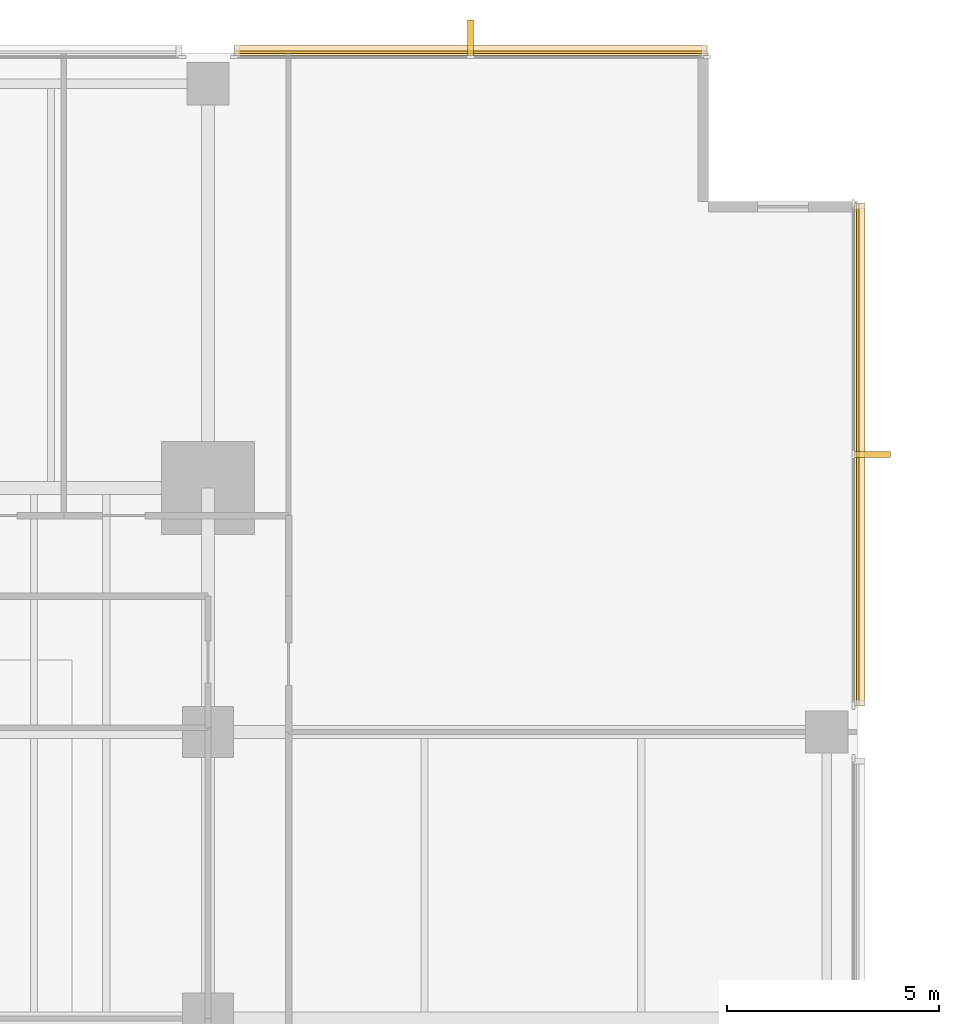
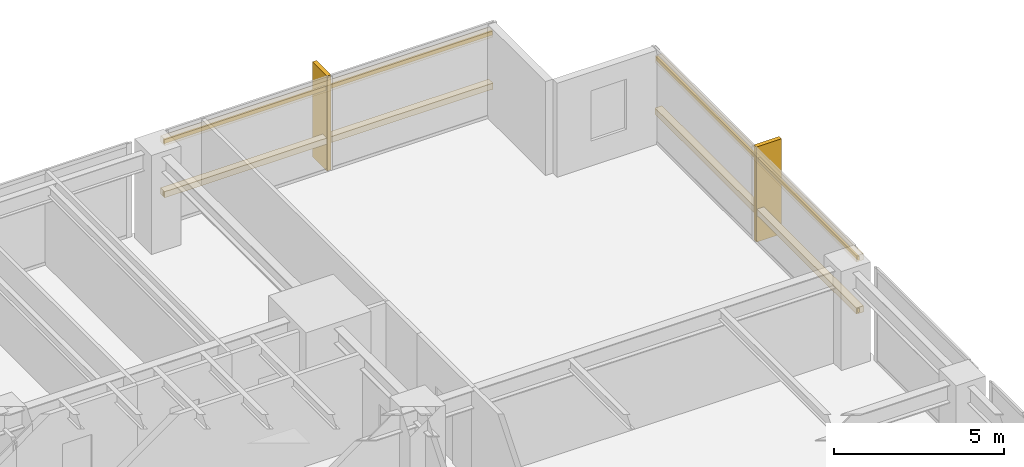
# One storey, part 15 of 15: 6 coverings, 4 shading devices.
"""IFC4 building model written with IfcOpenShell, lengths in metres."""

from ifc_helpers import new_model, si_unit, direction, frame, origin, origin_2d, place, context, subcontext, project, spatial, polyline, rectangle, outline, extrude, material, layer, layer_set, material_profile, profile_set, type_object, element, save


model = new_model("IFC4")

# Units and contexts
model_context = context("Model", 3, precision=1e-05, world=origin(), true_north=direction((0.0, 1.0)))
body_context = subcontext(model_context, "Body", "Model", "MODEL_VIEW")
ifc_project = project(units=[si_unit("LENGTHUNIT", "METRE"), si_unit("AREAUNIT", "SQUARE_METRE"), si_unit("VOLUMEUNIT", "CUBIC_METRE"), si_unit("PLANEANGLEUNIT", "RADIAN"), si_unit("MASSUNIT", "GRAM", prefix="KILO")], contexts=[model_context])

# Site, building, storey
site_placement = place(None, origin())
site = spatial("IfcSite", under=ifc_project, at=site_placement, CompositionType="ELEMENT")
building_placement = place(site_placement, origin())
building = spatial("IfcBuilding", under=site, at=building_placement, Name="Kinhvarn Gate Tower", CompositionType="ELEMENT")
storey_placement = place(building_placement, frame((0.0, 0.0, 46.89990234375)))
storey = spatial("IfcBuildingStorey", under=building, at=storey_placement, Name="L11", CompositionType="ELEMENT", Elevation=46.89990234375)

# Coverings
ifc_material = material(Name="Fired architectural terracotta", Category="masonry")
ifc_layer_1 = layer(ifc_material, 0.239990234375)
ifc_layer_set_1 = layer_set([ifc_layer_1], Name="Fired architectural terracotta")
covering_type_1 = type_object("IfcCoveringType", Name="COV-BAG-220", PredefinedType="CLADDING", material=ifc_layer_set_1)
for number, where, name in (
    (1, (0.0, 0.0, 0.940185546875), "Terracotta Horizontal Sunscreen Band TBG-220 (L11)"),
    (2, (0.0, 0.0, 2.81005859375), "Terracotta Horizontal Sunscreen Band TBG-220 (L11)"),
):
    element("IfcCovering", number, at=place(storey_placement, frame(where)), inside=storey, type_object=covering_type_1, Name=name, PredefinedType="CLADDING", context=body_context, shape_type="SweptSolid", body=[
        extrude(outline(polyline([(49.9599609375, 47.93994140625), (38.820068359375, 47.93994140625), (38.820068359375, 48.179931640625), (49.9599609375, 48.179931640625), (49.9599609375, 47.93994140625)])), origin(), (0.0, 0.0, 1.0), 0.219970703125),
    ])
for number, where, name in (
    (3, (0.0, 0.0, 0.940185546875), "Terracotta Horizontal Sunscreen Band TBG-220 (L11)"),
    (4, (0.0, 0.0, 2.81005859375), "Terracotta Horizontal Sunscreen Band TBG-220 (L11)"),
):
    element("IfcCovering", number, at=place(storey_placement, frame(where)), inside=storey, type_object=covering_type_1, Name=name, PredefinedType="CLADDING", context=body_context, shape_type="SweptSolid", body=[
        extrude(outline(polyline([(53.43994140625, 32.6201171875), (53.43994140625, 44.4599609375), (53.679931640625, 44.4599609375), (53.679931640625, 32.6201171875), (53.43994140625, 32.6201171875)])), origin(), (0.0, 0.0, 1.0), 0.219970703125),
    ])
ifc_layer_2 = layer(ifc_material, 0.139892578125)
ifc_layer_set_2 = layer_set([ifc_layer_2], Name="Fired architectural terracotta")
covering_type_2 = type_object("IfcCoveringType", Name="COV-FIN-850", PredefinedType="CLADDING", material=ifc_layer_set_2)
covering_1_placement = place(storey_placement, frame((0.0, 0.0, -0.02001953125)))
element("IfcCovering", 5, at=covering_1_placement, inside=storey, type_object=covering_type_2, Name="Vertical Terracotta Expressive Fin TFN-850 (L11)", PredefinedType="CLADDING", context=body_context, shape_type="SweptSolid", body=[
    extrude(outline(polyline([(44.4599609375, 47.929931640625), (44.320068359375, 47.929931640625), (44.320068359375, 48.780029296875), (44.4599609375, 48.780029296875), (44.4599609375, 47.929931640625)])), origin(), (0.0, 0.0, 1.0), 3.41015625),
])
covering_2_placement = place(storey_placement, frame((0.0, 0.0, -0.02001953125)))
element("IfcCovering", 6, at=covering_2_placement, inside=storey, type_object=covering_type_2, Name="Vertical Terracotta Expressive Fin TFN-850 (L11)", PredefinedType="CLADDING", context=body_context, shape_type="SweptSolid", body=[
    extrude(outline(polyline([(53.429931640625, 38.469970703125), (53.429931640625, 38.610107421875), (54.280029296875, 38.610107421875), (54.280029296875, 38.469970703125), (53.429931640625, 38.469970703125)])), origin(), (0.0, 0.0, 1.0), 3.41015625),
])

# Shading devices
ifc_material_profile = material_profile(ifc_material, rectangle(XDim=0.06005859375, YDim=0.139892578125, at=origin_2d()), Name="TC 60x140")
ifc_profile_set = profile_set([ifc_material_profile], Name="Fired architectural terracotta")
shading_device_type = type_object("IfcShadingDeviceType", Name="SHD-BAG-180", PredefinedType="USERDEFINED", material=ifc_profile_set)
for number, where, z_axis, x_axis, name in (
    (7, (49.9599609375, 48.014892578125, 1.050048828125), (-1.0, 0.0, 0.0), (0.0, -1.0, 0.0), "Fired Terracotta Baguette Screen Rod 60x140 mm (L11)"),
    (8, (49.9599609375, 48.014892578125, 2.920166015625), (-1.0, 0.0, 0.0), (0.0, -1.0, 0.0), "Fired Terracotta Baguette Screen Rod 60x140 mm (L11)"),
):
    element("IfcShadingDevice", number, at=place(storey_placement, frame(where, z_axis=z_axis, x_axis=x_axis)), inside=storey, type_object=shading_device_type, Name=name, ObjectType="BAGUETTE", PredefinedType="USERDEFINED", context=body_context, shape_type="SweptSolid", body=[
        extrude(rectangle(XDim=0.06005859375, YDim=0.139892578125, at=origin_2d()), origin(), (0.0, 0.0, 1.0), 11.139892578125),
    ])
for number, where, z_axis, x_axis, name in (
    (9, (53.514892578125, 32.6201171875, 1.050048828125), (0.0, 1.0, 0.0), (-1.0, 0.0, 0.0), "Fired Terracotta Baguette Screen Rod 60x140 mm (L11)"),
    (10, (53.514892578125, 32.6201171875, 2.920166015625), (0.0, 1.0, 0.0), (-1.0, 0.0, 0.0), "Fired Terracotta Baguette Screen Rod 60x140 mm (L11)"),
):
    element("IfcShadingDevice", number, at=place(storey_placement, frame(where, z_axis=z_axis, x_axis=x_axis)), inside=storey, type_object=shading_device_type, Name=name, ObjectType="BAGUETTE", PredefinedType="USERDEFINED", context=body_context, shape_type="SweptSolid", body=[
        extrude(rectangle(XDim=0.06005859375, YDim=0.139892578125, at=origin_2d()), origin(), (0.0, 0.0, 1.0), 11.83984375),
    ])

save(model, "model.ifc")
